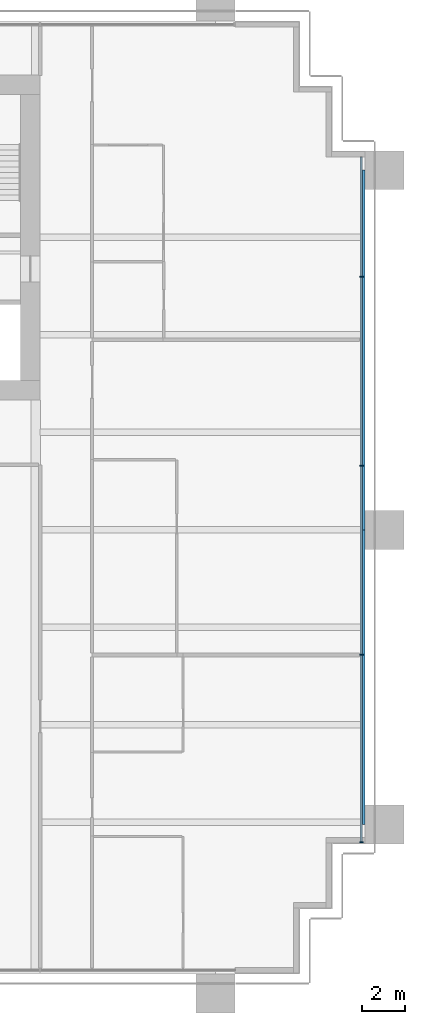
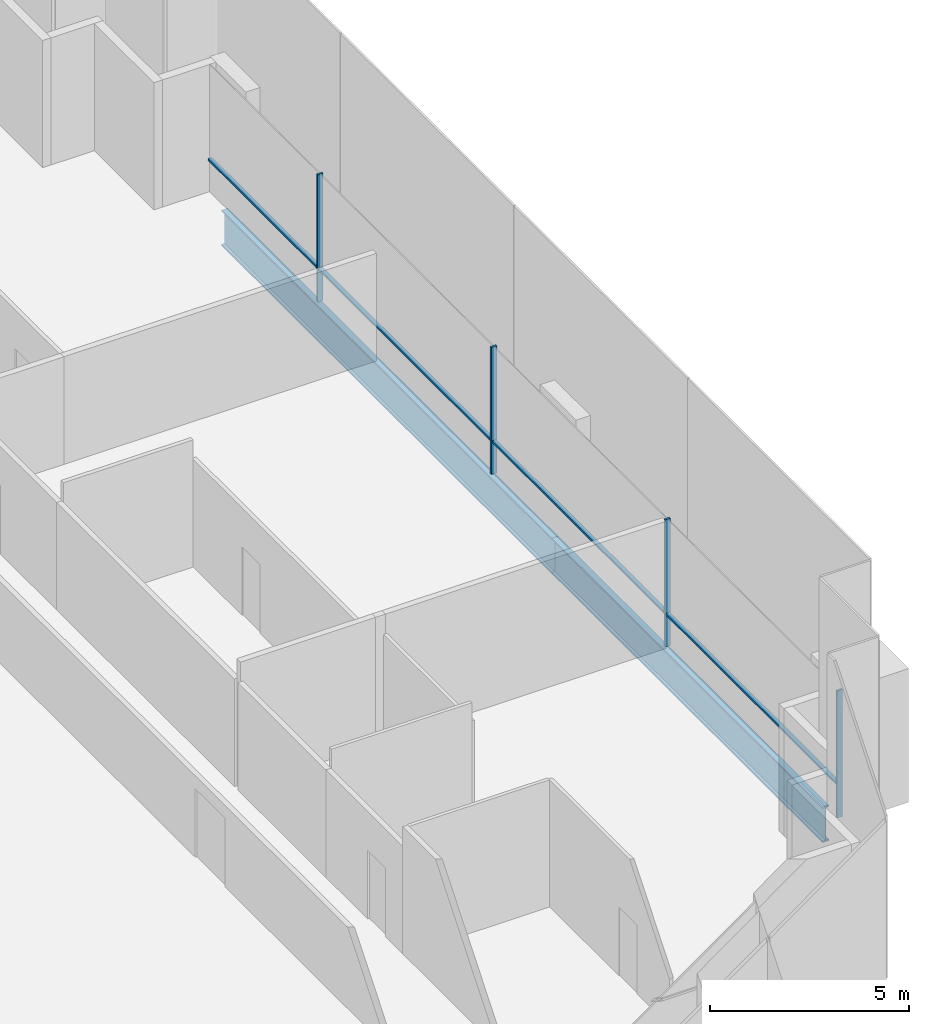
# One storey, part 9 of 18: 8 members, 2 beams, 1 element without a shape of its own.
"""IFC4 building model written with IfcOpenShell, lengths in metres."""

from ifc_helpers import new_model, si_unit, direction, frame, origin, origin_2d, place, context, subcontext, project, spatial, rectangle, i_section, extrude, material, material_profile, profile_set, type_object, element, aggregate, save


model = new_model("IFC4")

# Units and contexts
model_context = context("Model", 3, precision=1e-05, world=origin(), true_north=direction((0.0, 1.0)))
body_context = subcontext(model_context, "Body", "Model", "MODEL_VIEW")
ifc_project = project(units=[si_unit("LENGTHUNIT", "METRE"), si_unit("AREAUNIT", "SQUARE_METRE"), si_unit("VOLUMEUNIT", "CUBIC_METRE"), si_unit("PLANEANGLEUNIT", "RADIAN"), si_unit("MASSUNIT", "GRAM", prefix="KILO")], contexts=[model_context])

# Site, building, storey
site_placement = place(None, origin())
site = spatial("IfcSite", under=ifc_project, at=site_placement, CompositionType="ELEMENT")
building_placement = place(site_placement, origin())
building = spatial("IfcBuilding", under=site, at=building_placement, Name="Rattan Terrace Tower", CompositionType="ELEMENT")
storey_placement = place(building_placement, frame((0.0, 0.0, 57.0)))
storey = spatial("IfcBuildingStorey", under=building, at=storey_placement, Name="L12", CompositionType="ELEMENT", Elevation=57.0)

# Curtain wall, members
ifc_material_1 = material(Name="Aluminium and glass", Category="aluminium")
curtain_wall_type = type_object("IfcCurtainWallType", Name="Facade Unitised Curtain Wall", PredefinedType="NOTDEFINED", material=ifc_material_1)
curtain_wall_placement = place(storey_placement, origin())
curtain_wall = element("IfcCurtainWall", 1, at=curtain_wall_placement, inside=storey, type_object=curtain_wall_type, Name="Curtain wall L12-1", PredefinedType="NOTDEFINED")
ifc_material_2 = material(Name="Aluminium", Category="aluminium")
ifc_material_profile_1 = material_profile(ifc_material_2, rectangle(XDim=0.06005859375, YDim=0.159912109375, at=origin_2d()), Name="Aluminium 60x160")
ifc_profile_set_1 = profile_set([ifc_material_profile_1], Name="Aluminium")
member_type_1 = type_object("IfcMemberType", Name="Facade CW Mullion 60x160", PredefinedType="MULLION", material=ifc_profile_set_1)
member_1_placement = place(storey_placement, frame((32.830078125, -27.925048828125, 0.0), z_axis=(0.0, 0.0, 1.0), x_axis=(0.0, 1.0, 0.0)))
member_1 = element("IfcMember", 2, at=member_1_placement, type_object=member_type_1, Name="Mullion cwl-L12-001.1", PredefinedType="MULLION", context=body_context, shape_type="SweptSolid", body=[
    extrude(rectangle(XDim=0.06005859375, YDim=0.159912109375, at=origin_2d()), origin(), (0.0, 0.0, 1.0), 3.89990234375),
])
member_2_placement = place(storey_placement, frame((32.830078125, -19.27294921875, 0.0), z_axis=(0.0, 0.0, 1.0), x_axis=(0.0, 1.0, 0.0)))
member_2 = element("IfcMember", 3, at=member_2_placement, type_object=member_type_1, Name="Mullion cwl-L12-001.2", PredefinedType="MULLION", context=body_context, shape_type="SweptSolid", body=[
    extrude(rectangle(XDim=0.06005859375, YDim=0.159912109375, at=origin_2d()), origin(), (0.0, 0.0, 1.0), 3.89990234375),
])
member_3_placement = place(storey_placement, frame((32.830078125, -10.5458984375, 0.0), z_axis=(0.0, 0.0, 1.0), x_axis=(0.0, 1.0, 0.0)))
member_3 = element("IfcMember", 4, at=member_3_placement, type_object=member_type_1, Name="Mullion cwl-L12-001.3", PredefinedType="MULLION", context=body_context, shape_type="SweptSolid", body=[
    extrude(rectangle(XDim=0.06005859375, YDim=0.159912109375, at=origin_2d()), origin(), (0.0, 0.0, 1.0), 3.89990234375),
])
member_4_placement = place(storey_placement, frame((32.830078125, -1.819091796875, 0.0), z_axis=(0.0, 0.0, 1.0), x_axis=(0.0, 1.0, 0.0)))
member_4 = element("IfcMember", 5, at=member_4_placement, type_object=member_type_1, Name="Mullion cwl-L12-001.4", PredefinedType="MULLION", context=body_context, shape_type="SweptSolid", body=[
    extrude(rectangle(XDim=0.06005859375, YDim=0.159912109375, at=origin_2d()), origin(), (0.0, 0.0, 1.0), 3.89990234375),
])
ifc_material_3 = material(Name="Aluminium", Category="aluminium")
ifc_material_profile_2 = material_profile(ifc_material_3, rectangle(XDim=0.1201171875, YDim=0.06005859375, at=origin_2d()), Name="Aluminium 120x60")
ifc_profile_set_2 = profile_set([ifc_material_profile_2], Name="Aluminium")
member_type_2 = type_object("IfcMemberType", Name="Facade CW Transom 120x60", PredefinedType="USERDEFINED", material=ifc_profile_set_2)
member_5_placement = place(storey_placement, frame((32.830078125, -27.89501953125, 1.0), z_axis=(0.0, 1.0, 0.0), x_axis=(-1.0, 0.0, 0.0)))
member_5 = element("IfcMember", 6, at=member_5_placement, type_object=member_type_2, Name="Transom cwl-L12-001.1", ObjectType="TRANSOM", PredefinedType="USERDEFINED", context=body_context, shape_type="SweptSolid", body=[
    extrude(rectangle(XDim=0.1201171875, YDim=0.06005859375, at=origin_2d()), origin(), (0.0, 0.0, 1.0), 8.592041015625),
])
member_6_placement = place(storey_placement, frame((32.830078125, -19.242919921875, 1.0), z_axis=(0.0, 1.0, 0.0), x_axis=(-1.0, 0.0, 0.0)))
member_6 = element("IfcMember", 7, at=member_6_placement, type_object=member_type_2, Name="Transom cwl-L12-001.2", ObjectType="TRANSOM", PredefinedType="USERDEFINED", context=body_context, shape_type="SweptSolid", body=[
    extrude(rectangle(XDim=0.1201171875, YDim=0.06005859375, at=origin_2d()), origin(), (0.0, 0.0, 1.0), 8.6669921875),
])
member_7_placement = place(storey_placement, frame((32.830078125, -10.51611328125, 1.0), z_axis=(0.0, 1.0, 0.0), x_axis=(-1.0, 0.0, 0.0)))
member_7 = element("IfcMember", 8, at=member_7_placement, type_object=member_type_2, Name="Transom cwl-L12-001.3", ObjectType="TRANSOM", PredefinedType="USERDEFINED", context=body_context, shape_type="SweptSolid", body=[
    extrude(rectangle(XDim=0.1201171875, YDim=0.06005859375, at=origin_2d()), origin(), (0.0, 0.0, 1.0), 8.6669921875),
])
member_8_placement = place(storey_placement, frame((32.830078125, -1.7890625, 1.0), z_axis=(0.0, 1.0, 0.0), x_axis=(-1.0, 0.0, 0.0)))
member_8 = element("IfcMember", 9, at=member_8_placement, type_object=member_type_2, Name="Transom cwl-L12-001.4", ObjectType="TRANSOM", PredefinedType="USERDEFINED", context=body_context, shape_type="SweptSolid", body=[
    extrude(rectangle(XDim=0.1201171875, YDim=0.06005859375, at=origin_2d()), origin(), (0.0, 0.0, 1.0), 5.494140625),
])
aggregate(curtain_wall, [member_1, member_2, member_3, member_4, member_5, member_6, member_7, member_8])

# Beams
ifc_material_4 = material(Name="Steel S460", Category="steel")
ifc_material_profile_3 = material_profile(ifc_material_4, i_section(OverallWidth=0.179931640625, OverallDepth=1.10009765625, WebThickness=0.01611328125, FlangeThickness=0.050048828125, at=origin_2d()), Name="PG 1100x180-16-50")
ifc_profile_set_3 = profile_set([ifc_material_profile_3], Name="Steel S460")
beam_type = type_object("IfcBeamType", Name="Frame edge girder PG 1100x180-16-50", PredefinedType="SPANDREL", material=ifc_profile_set_3)
beam_1_placement = place(storey_placement, frame((32.909912109375, -27.10009765625, -0.75), z_axis=(0.0, 1.0, 0.0), x_axis=(-1.0, 0.0, 0.0)))
element("IfcBeam", 10, at=beam_1_placement, inside=storey, type_object=beam_type, Name="gdr-L12-005", PredefinedType="SPANDREL", context=body_context, shape_type="SweptSolid", body=[
    extrude(i_section(OverallWidth=0.179931640625, OverallDepth=1.10009765625, WebThickness=0.01611328125, FlangeThickness=0.050048828125, at=origin_2d()), origin(), (0.0, 0.0, 1.0), 13.60009765625),
])
beam_2_placement = place(storey_placement, frame((32.909912109375, -13.5, -0.75), z_axis=(0.0, 1.0, 0.0), x_axis=(-1.0, 0.0, 0.0)))
element("IfcBeam", 11, at=beam_2_placement, inside=storey, type_object=beam_type, Name="gdr-L12-007", PredefinedType="SPANDREL", context=body_context, shape_type="SweptSolid", body=[
    extrude(i_section(OverallWidth=0.179931640625, OverallDepth=1.10009765625, WebThickness=0.01611328125, FlangeThickness=0.050048828125, at=origin_2d()), origin(), (0.0, 0.0, 1.0), 16.60009765625),
])

save(model, "model.ifc")
